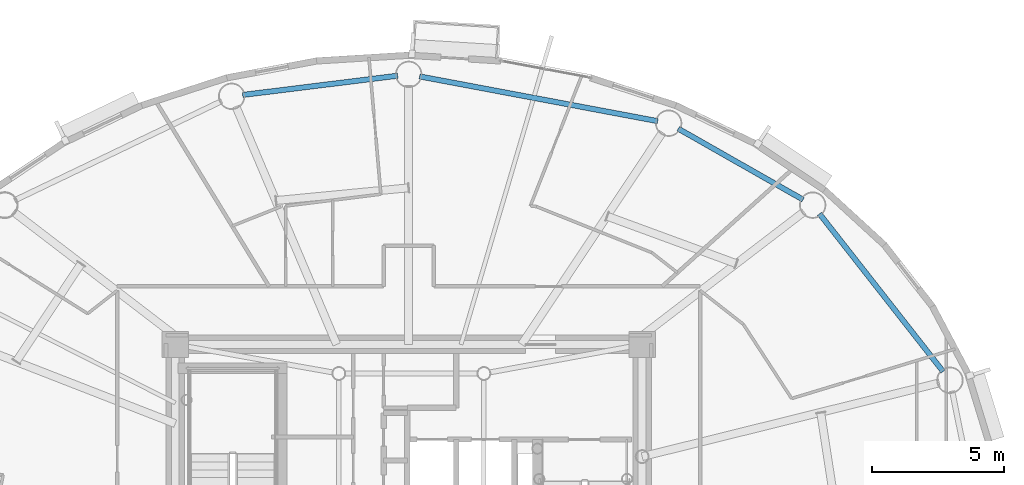
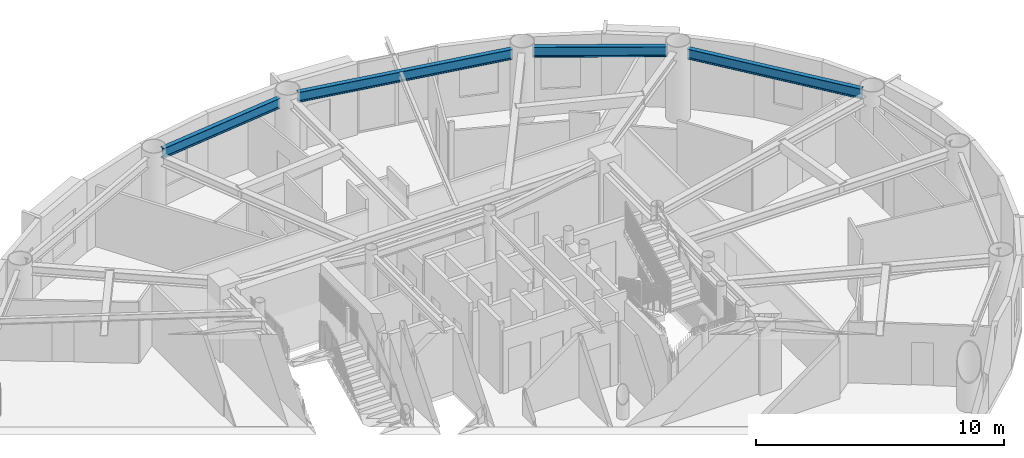
# One storey, part 3 of 20: 4 beams.
"""IFC4 building model written with IfcOpenShell, lengths in metres."""

from ifc_helpers import new_model, si_unit, direction, frame, origin, origin_2d, place, context, subcontext, project, spatial, i_section, extrude, material, material_profile, profile_set, type_object, element, save


model = new_model("IFC4")

# Units and contexts
model_context = context("Model", 3, precision=1e-05, world=origin(), true_north=direction((0.0, 1.0)))
body_context = subcontext(model_context, "Body", "Model", "MODEL_VIEW")
ifc_project = project(units=[si_unit("LENGTHUNIT", "METRE"), si_unit("AREAUNIT", "SQUARE_METRE"), si_unit("VOLUMEUNIT", "CUBIC_METRE"), si_unit("PLANEANGLEUNIT", "RADIAN"), si_unit("MASSUNIT", "GRAM", prefix="KILO")], contexts=[model_context])

# Site, building, storey
site_placement = place(None, origin())
site = spatial("IfcSite", under=ifc_project, at=site_placement, CompositionType="ELEMENT")
building_placement = place(site_placement, origin())
building = spatial("IfcBuilding", under=site, at=building_placement, Name="Linh Dai School and Residence Tower", CompositionType="ELEMENT")
storey_placement = place(building_placement, frame((0.0, 0.0, 288.0)))
storey = spatial("IfcBuildingStorey", under=building, at=storey_placement, Name="L71", CompositionType="ELEMENT", Elevation=288.0)

# Beams
ifc_material = material(Name="Structural Steel S355JR", Category="steel")
ifc_material_profile = material_profile(ifc_material, i_section(OverallWidth=0.199951171875, OverallDepth=0.5, WebThickness=0.01025390625, FlangeThickness=0.01611328125, FilletRadius=0.02099609375, at=origin_2d()), Name="IPE 500")
ifc_profile_set = profile_set([ifc_material_profile], Name="Structural Steel S355JR")
beam_type = type_object("IfcBeamType", Name="BM-RB50", PredefinedType="BEAM", material=ifc_profile_set)
beam_1_placement = place(storey_placement, frame((56.259521484375, 32.425048828125, 3.25), z_axis=(-0.616882739554, 0.787055071542, 0.0), x_axis=(-0.787055071542, -0.616882739554, 0.0)))
element("IfcBeam", 1, at=beam_1_placement, inside=storey, type_object=beam_type, Name="L71 Perimeter Elliptical Ring Beam 02", PredefinedType="BEAM", context=body_context, shape_type="SweptSolid", body=[
    extrude(i_section(OverallWidth=0.199951171875, OverallDepth=0.5, WebThickness=0.01025390625, FlangeThickness=0.01611328125, FilletRadius=0.02099609375, at=origin_2d()), origin(), (0.0, 0.0, 1.0), 7.59521484375),
])
beam_2_placement = place(storey_placement, frame((50.949951171875, 38.94091796875, 3.25), z_axis=(-0.869265548778, 0.494345431564, 0.0), x_axis=(-0.494345431564, -0.869265548778, 0.0)))
element("IfcBeam", 2, at=beam_2_placement, inside=storey, type_object=beam_type, Name="L71 Perimeter Elliptical Ring Beam 03", PredefinedType="BEAM", context=body_context, shape_type="SweptSolid", body=[
    extrude(i_section(OverallWidth=0.199951171875, OverallDepth=0.5, WebThickness=0.01025390625, FlangeThickness=0.01611328125, FilletRadius=0.02099609375, at=origin_2d()), origin(), (0.0, 0.0, 1.0), 5.44189453125),
])
beam_3_placement = place(storey_placement, frame((45.441650390625, 41.916259765625, 3.25), z_axis=(-0.982805333306, 0.184644731378, 0.0), x_axis=(-0.184644731378, -0.982805333306, 0.0)))
element("IfcBeam", 3, at=beam_3_placement, inside=storey, type_object=beam_type, Name="L71 Perimeter Elliptical Ring Beam 04", PredefinedType="BEAM", context=body_context, shape_type="SweptSolid", body=[
    extrude(i_section(OverallWidth=0.199951171875, OverallDepth=0.5, WebThickness=0.01025390625, FlangeThickness=0.01611328125, FilletRadius=0.02099609375, at=origin_2d()), origin(), (0.0, 0.0, 1.0), 9.186767578125),
])
beam_4_placement = place(storey_placement, frame((35.583251953125, 43.638427734375, 3.25), z_axis=(-0.992399134443, -0.123060789678, 0.0), x_axis=(0.123060789678, -0.992399134443, 0.0)))
element("IfcBeam", 4, at=beam_4_placement, inside=storey, type_object=beam_type, Name="L71 Perimeter Elliptical Ring Beam 05", PredefinedType="BEAM", context=body_context, shape_type="SweptSolid", body=[
    extrude(i_section(OverallWidth=0.199951171875, OverallDepth=0.5, WebThickness=0.01025390625, FlangeThickness=0.01611328125, FilletRadius=0.02099609375, at=origin_2d()), origin(), (0.0, 0.0, 1.0), 5.923828125),
])

save(model, "model.ifc")
